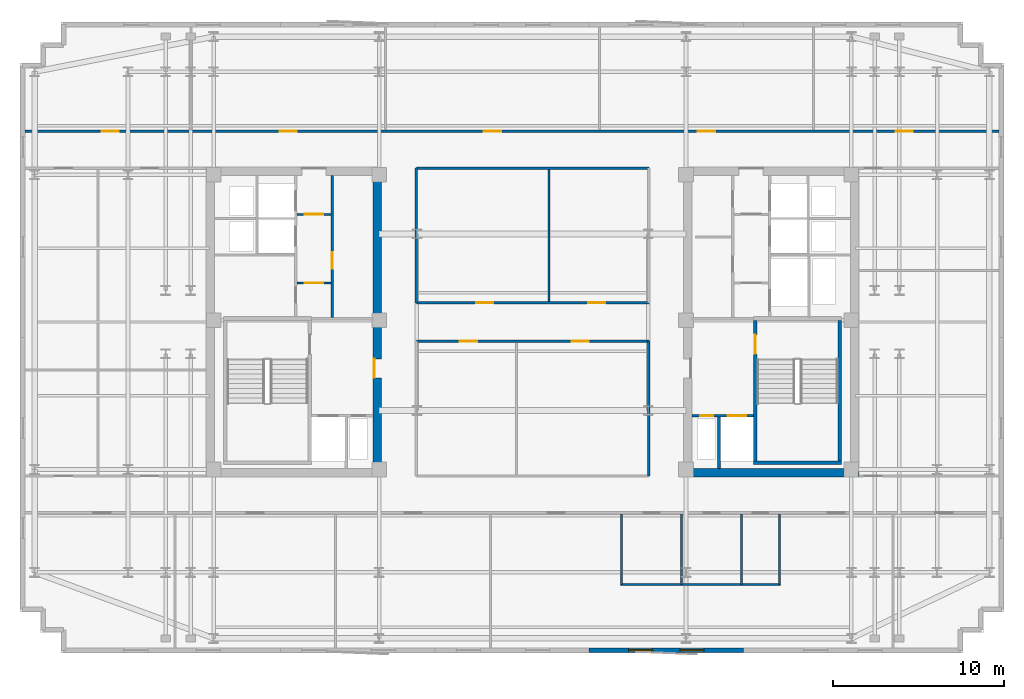
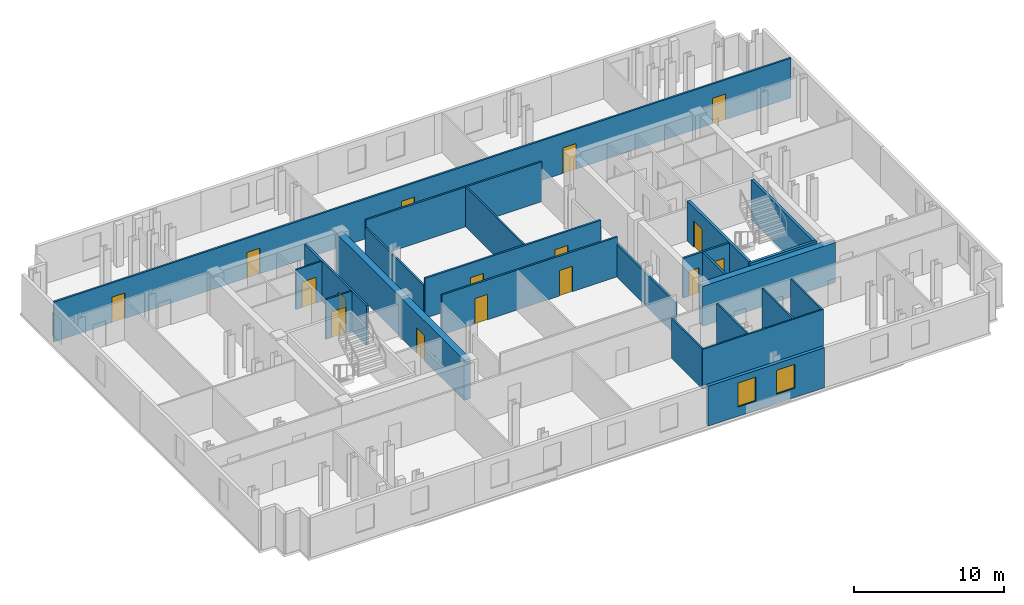
# One storey, part 5 of 9: 23 walls, 16 doors, 2 windows, 18 openings.
"""IFC4 building model written with IfcOpenShell, lengths in metres."""

from ifc_helpers import new_model, si_unit, direction, frame, frame_2d, origin, place, context, subcontext, project, spatial, rectangle, extrude, material, layer, layer_set, type_object, element, fill, save


model = new_model("IFC4")

# Units and contexts
model_context = context("Model", 3, precision=1e-05, world=origin(), true_north=direction((0.0, 1.0)))
body_context = subcontext(model_context, "Body", "Model", "MODEL_VIEW")
ifc_project = project(units=[si_unit("LENGTHUNIT", "METRE"), si_unit("AREAUNIT", "SQUARE_METRE"), si_unit("VOLUMEUNIT", "CUBIC_METRE"), si_unit("PLANEANGLEUNIT", "RADIAN"), si_unit("MASSUNIT", "GRAM", prefix="KILO")], contexts=[model_context])

# Site, building, storey
site_placement = place(None, origin())
site = spatial("IfcSite", under=ifc_project, at=site_placement, CompositionType="ELEMENT")
building_placement = place(site_placement, origin())
building = spatial("IfcBuilding", under=site, at=building_placement, Name="Velakula Bourse", CompositionType="ELEMENT")
storey_placement = place(building_placement, frame((0.0, 0.0, 218.85009765625)))
storey = spatial("IfcBuildingStorey", under=building, at=storey_placement, Name="L59", CompositionType="ELEMENT", Elevation=218.85009765625)

# Wall, opening, door
ifc_material_1 = material(Name="Concrete M50 (fck 50 MPa)", Category="concrete")
ifc_layer_1 = layer(ifc_material_1, 0.2099609375, Name="Concrete M50 (fck 50 MPa)", Category="concrete")
ifc_layer_set_1 = layer_set([ifc_layer_1], Name="Concrete M50 (fck 50 MPa)")
wall_type_1 = type_object("IfcWallType", Name="WL-CORE-210", PredefinedType="SHEAR", material=ifc_layer_set_1)
wall_1_placement = place(storey_placement, frame((12.9951171875, -8.10009765625, 0.0), z_axis=(0.0, 0.0, 1.0), x_axis=(0.0, 1.0, 0.0)))
wall_1 = element("IfcWall", 1, at=wall_1_placement, inside=storey, type_object=wall_type_1, Name="L59 Core E Stairwell Shear Wall IN", PredefinedType="SHEAR", context=body_context, shape_type="SweptSolid", body=[
    extrude(rectangle(XDim=8.2001953125, YDim=0.2099609375, at=frame_2d((4.10009765625, 0.0))), origin(), (0.0, 0.0, 1.0), 3.27001953125),
])
opening_1_placement = place(wall_1_placement, frame((6.25, 0.0, 0.0)))
opening_1 = element("IfcOpeningElement", 2, at=opening_1_placement, cuts=wall_1, Name="Opening D-STE1", PredefinedType="OPENING", context=body_context, shape_type="SweptSolid", body=[
    extrude(rectangle(XDim=1.10009765625, YDim=2.14990234375, at=frame_2d((0.550048828125, 1.074951171875))), frame((0.0, 0.114990234375, 0.0), z_axis=(0.0, -1.0, 0.0), x_axis=(1.0, 0.0, 0.0)), (0.0, 0.0, 1.0), 0.22998046875),
])
ifc_material_2 = material(Name="Galvanised painted hollow steel fire door", Category="steel")
door_type_1 = type_object("IfcDoorType", Name="DR-FD120-1100x2150", OperationType="NOTDEFINED", PredefinedType="DOOR", material=ifc_material_2)
door_1_placement = place(opening_1_placement, origin())
door_1 = element("IfcDoor", 3, at=door_1_placement, inside=storey, type_object=door_type_1, Name="L59 Stair ST-E1 Fire Door", OperationType="SINGLE_SWING_RIGHT", OverallHeight=2.14990234375, OverallWidth=1.10009765625, PredefinedType="DOOR", context=body_context, shape_type="SweptSolid", body=[
    extrude(rectangle(XDim=1.10009765625, YDim=2.14990234375, at=frame_2d((0.550048828125, 1.074951171875))), frame((0.0, 0.02490234375, 0.0), z_axis=(0.0, -1.0, 0.0), x_axis=(1.0, 0.0, 0.0)), (0.0, 0.0, 1.0), 0.050048828125),
])
fill(opening_1, door_1)

# Walls
wall_2_placement = place(storey_placement, frame((17.925048828125, -8.10009765625, 0.0), z_axis=(0.0, 0.0, 1.0), x_axis=(0.0, 1.0, 0.0)))
element("IfcWall", 4, at=wall_2_placement, inside=storey, type_object=wall_type_1, Name="L59 Core E Stairwell Shear Wall OUT", PredefinedType="SHEAR", context=body_context, shape_type="SweptSolid", body=[
    extrude(rectangle(XDim=8.2001953125, YDim=0.2099609375, at=frame_2d((4.10009765625, 0.0))), origin(), (0.0, 0.0, 1.0), 3.27001953125),
])
wall_3_placement = place(storey_placement, frame((12.889892578125, -8.205078125, 0.0), z_axis=(0.0, 0.0, 1.0), x_axis=(1.0, 0.0, 0.0)))
element("IfcWall", 5, at=wall_3_placement, inside=storey, type_object=wall_type_1, Name="L59 Core E Stairwell Shear Wall S", PredefinedType="SHEAR", context=body_context, shape_type="SweptSolid", body=[
    extrude(rectangle(XDim=5.14013671875, YDim=0.2099609375, at=frame_2d((2.570068359375, 0.0))), origin(), (0.0, 0.0, 1.0), 3.27001953125),
])

# Wall, opening, door
ifc_layer_2 = layer(ifc_material_1, 0.5, Name="Concrete M50 (fck 50 MPa)", Category="concrete")
ifc_layer_set_2 = layer_set([ifc_layer_2], Name="Concrete M50 (fck 50 MPa)")
wall_type_2 = type_object("IfcWallType", Name="WL-CORE-500", PredefinedType="SHEAR", material=ifc_layer_set_2)
wall_4_placement = place(storey_placement, frame((-9.050048828125, -8.550048828125, 0.0), z_axis=(0.0, 0.0, 1.0), x_axis=(0.0, 1.0, 0.0)))
wall_4 = element("IfcWall", 6, at=wall_4_placement, inside=storey, type_object=wall_type_2, Name="L59 Core W Shear Wall E", PredefinedType="SHEAR", context=body_context, shape_type="SweptSolid", body=[
    extrude(rectangle(XDim=17.10009765625, YDim=0.5, at=frame_2d((8.550048828125, 0.0))), origin(), (0.0, 0.0, 1.0), 3.27001953125),
])
opening_2_placement = place(wall_4_placement, frame((5.300048828125, 0.0, 0.0)))
opening_2 = element("IfcOpeningElement", 7, at=opening_2_placement, cuts=wall_4, Name="Opening D-FLW", PredefinedType="OPENING", context=body_context, shape_type="SweptSolid", body=[
    extrude(rectangle(XDim=1.10009765625, YDim=2.080078125, at=frame_2d((0.550048828125, 1.0400390625))), frame((0.0, 0.260009765625, 0.0), z_axis=(0.0, -1.0, 0.0), x_axis=(1.0, 0.0, 0.0)), (0.0, 0.0, 1.0), 0.52001953125),
])
door_type_2 = type_object("IfcDoorType", Name="DR-FD120-1100", OperationType="NOTDEFINED", PredefinedType="DOOR", material=ifc_material_2)
door_2_placement = place(opening_2_placement, origin())
door_2 = element("IfcDoor", 8, at=door_2_placement, inside=storey, type_object=door_type_2, Name="L59 Firefighting Lobby W Corridor Fire Door", OperationType="SINGLE_SWING_LEFT", OverallHeight=2.080078125, OverallWidth=1.10009765625, PredefinedType="DOOR", context=body_context, shape_type="SweptSolid", body=[
    extrude(rectangle(XDim=1.10009765625, YDim=2.080078125, at=frame_2d((0.550048828125, 1.0400390625))), frame((0.0, 0.205078125, 0.0), z_axis=(0.0, -1.0, 0.0), x_axis=(1.0, 0.0, 0.0)), (0.0, 0.0, 1.0), 0.050048828125),
])
fill(opening_2, door_2)

# Wall
wall_5_placement = place(storey_placement, frame((8.800048828125, -8.800048828125, 0.0), z_axis=(0.0, 0.0, 1.0), x_axis=(1.0, 0.0, 0.0)))
element("IfcWall", 9, at=wall_5_placement, inside=storey, type_object=wall_type_2, Name="L59 Core E Shear Wall S", PredefinedType="SHEAR", context=body_context, shape_type="SweptSolid", body=[
    extrude(rectangle(XDim=10.25, YDim=0.5, at=frame_2d((5.125, 0.0))), origin(), (0.0, 0.0, 1.0), 3.27001953125),
])

# Wall, openings, windows
ifc_material_3 = material(Name="Buff kilned clay facing brick masonry", Category="masonry")
ifc_layer_3 = layer(ifc_material_3, 0.260009765625, Name="Buff kilned clay facing brick masonry", Category="masonry")
ifc_layer_set_3 = layer_set([ifc_layer_3], Name="Buff kilned clay facing brick masonry")
wall_type_3 = type_object("IfcWallType", Name="WL-EXT-BRK-260", PredefinedType="STANDARD", material=ifc_layer_set_3)
wall_6_placement = place(storey_placement, frame((12.300048828125, -19.14990234375, 0.0), z_axis=(0.0, 0.0, 1.0), x_axis=(-1.0, 0.0, 0.0)))
wall_6 = element("IfcWall", 10, at=wall_6_placement, inside=storey, type_object=wall_type_3, Name="L59 S Brick Spandrel Wall B4", PredefinedType="STANDARD", context=body_context, shape_type="SweptSolid", body=[
    extrude(rectangle(XDim=9.0, YDim=0.260009765625, at=frame_2d((4.5, 0.0))), origin(), (0.0, 0.0, 1.0), 3.25),
])
opening_3_placement = place(wall_6_placement, frame((2.300048828125, 0.0, 0.760009765625)))
opening_3 = element("IfcOpeningElement", 11, at=opening_3_placement, cuts=wall_6, Name="Opening W-03", PredefinedType="OPENING", context=body_context, shape_type="SweptSolid", body=[
    extrude(rectangle(XDim=1.39990234375, YDim=1.949951171875, at=frame_2d((0.699951171875, 0.97509765625))), frame((0.0, 0.139892578125, 0.0), z_axis=(0.0, -1.0, 0.0), x_axis=(1.0, 0.0, 0.0)), (0.0, 0.0, 1.0), 0.280029296875),
])
opening_4_placement = place(wall_6_placement, frame((5.300048828125, 0.0, 0.760009765625)))
opening_4 = element("IfcOpeningElement", 12, at=opening_4_placement, cuts=wall_6, Name="Opening W-03", PredefinedType="OPENING", context=body_context, shape_type="SweptSolid", body=[
    extrude(rectangle(XDim=1.39990234375, YDim=1.949951171875, at=frame_2d((0.699951171875, 0.97509765625))), frame((0.0, 0.139892578125, 0.0), z_axis=(0.0, -1.0, 0.0), x_axis=(1.0, 0.0, 0.0)), (0.0, 0.0, 1.0), 0.280029296875),
])
ifc_material_4 = material(Name="Double-glazed solar-control Low-E glass", Category="glass")
window_type = type_object("IfcWindowType", Name="WIN-TWR-1400x2100", PartitioningType="SINGLE_PANEL", PredefinedType="WINDOW", material=ifc_material_4)
window_1_placement = place(opening_3_placement, origin())
window_1 = element("IfcWindow", 13, at=window_1_placement, inside=storey, type_object=window_type, Name="L59 Deep-Set Recessed Window 1", OverallHeight=1.949951171875, OverallWidth=1.39990234375, PartitioningType="SINGLE_PANEL", PredefinedType="WINDOW", context=body_context, shape_type="SweptSolid", body=[
    extrude(rectangle(XDim=1.39990234375, YDim=1.949951171875, at=frame_2d((0.699951171875, 0.97509765625))), frame((0.0, 0.030029296875, 0.0), z_axis=(0.0, -1.0, 0.0), x_axis=(1.0, 0.0, 0.0)), (0.0, 0.0, 1.0), 0.06005859375),
])
fill(opening_3, window_1)
window_2_placement = place(opening_4_placement, origin())
window_2 = element("IfcWindow", 14, at=window_2_placement, inside=storey, type_object=window_type, Name="L59 Deep-Set Recessed Window 2", OverallHeight=1.949951171875, OverallWidth=1.39990234375, PartitioningType="SINGLE_PANEL", PredefinedType="WINDOW", context=body_context, shape_type="SweptSolid", body=[
    extrude(rectangle(XDim=1.39990234375, YDim=1.949951171875, at=frame_2d((0.699951171875, 0.97509765625))), frame((0.0, 0.030029296875, 0.0), z_axis=(0.0, -1.0, 0.0), x_axis=(1.0, 0.0, 0.0)), (0.0, 0.0, 1.0), 0.06005859375),
])
fill(opening_4, window_2)

# Wall, opening, door
ifc_material_5 = material(Name="Fire-rated double-layer gypsum drywall partition", Category="gypsum")
ifc_layer_4 = layer(ifc_material_5, 0.1201171875, Name="Fire-rated double-layer gypsum drywall partition", Category="gypsum")
ifc_layer_set_4 = layer_set([ifc_layer_4], Name="Fire-rated double-layer gypsum drywall partition")
wall_type_4 = type_object("IfcWallType", Name="WL-PART-120", PredefinedType="STANDARD", material=ifc_layer_set_4)
wall_7_placement = place(storey_placement, frame((-13.75, 2.280029296875, 0.0), z_axis=(0.0, 0.0, 1.0), x_axis=(1.0, 0.0, 0.0)))
wall_7 = element("IfcWall", 15, at=wall_7_placement, inside=storey, type_object=wall_type_4, Name="L59 Interior Partition WL-CRW-L59-LL-K3A", PredefinedType="STANDARD", context=body_context, shape_type="SweptSolid", body=[
    extrude(rectangle(XDim=2.0, YDim=0.1201171875, at=frame_2d((1.0, 0.0))), origin(), (0.0, 0.0, 1.0), 3.25),
])
opening_5_placement = place(wall_7_placement, frame((0.449951171875, 0.0, 0.0)))
opening_5 = element("IfcOpeningElement", 16, at=opening_5_placement, cuts=wall_7, Name="Opening D-LK3", PredefinedType="OPENING", context=body_context, shape_type="SweptSolid", body=[
    extrude(rectangle(XDim=1.10009765625, YDim=2.10009765625, at=frame_2d((0.550048828125, 1.050048828125))), frame((0.0, 0.070068359375, 0.0), z_axis=(0.0, -1.0, 0.0), x_axis=(1.0, 0.0, 0.0)), (0.0, 0.0, 1.0), 0.14013671875),
])
ifc_material_6 = material(Name="Fire-rated hardwood flush architectural door", Category="wood")
door_type_3 = type_object("IfcDoorType", Name="DR-FD60-1100x2100", OperationType="NOTDEFINED", PredefinedType="DOOR", material=ifc_material_6)
door_3_placement = place(opening_5_placement, origin())
door_3 = element("IfcDoor", 17, at=door_3_placement, inside=storey, type_object=door_type_3, Name="L59 Core W Lift Lobby Vestibule Door A", OperationType="SINGLE_SWING_RIGHT", OverallHeight=2.10009765625, OverallWidth=1.10009765625, PredefinedType="DOOR", context=body_context, shape_type="SweptSolid", body=[
    extrude(rectangle(XDim=1.10009765625, YDim=2.10009765625, at=frame_2d((0.550048828125, 1.050048828125))), frame((0.0, 0.02490234375, 0.0), z_axis=(0.0, -1.0, 0.0), x_axis=(1.0, 0.0, 0.0)), (0.0, 0.0, 1.0), 0.050048828125),
])
fill(opening_5, door_3)

wall_8_placement = place(storey_placement, frame((-13.75, 6.280029296875, 0.0), z_axis=(0.0, 0.0, 1.0), x_axis=(1.0, 0.0, 0.0)))
wall_8 = element("IfcWall", 18, at=wall_8_placement, inside=storey, type_object=wall_type_4, Name="L59 Interior Partition WL-CRW-L59-LL-K3B", PredefinedType="STANDARD", context=body_context, shape_type="SweptSolid", body=[
    extrude(rectangle(XDim=2.0, YDim=0.1201171875, at=frame_2d((1.0, 0.0))), origin(), (0.0, 0.0, 1.0), 3.25),
])
opening_6_placement = place(wall_8_placement, frame((0.449951171875, 0.0, 0.0)))
opening_6 = element("IfcOpeningElement", 19, at=opening_6_placement, cuts=wall_8, Name="Opening D-LK3", PredefinedType="OPENING", context=body_context, shape_type="SweptSolid", body=[
    extrude(rectangle(XDim=1.10009765625, YDim=2.10009765625, at=frame_2d((0.550048828125, 1.050048828125))), frame((0.0, 0.070068359375, 0.0), z_axis=(0.0, -1.0, 0.0), x_axis=(1.0, 0.0, 0.0)), (0.0, 0.0, 1.0), 0.14013671875),
])
door_4_placement = place(opening_6_placement, origin())
door_4 = element("IfcDoor", 20, at=door_4_placement, inside=storey, type_object=door_type_3, Name="L59 Core W Lift Lobby Vestibule Door B", OperationType="SINGLE_SWING_RIGHT", OverallHeight=2.10009765625, OverallWidth=1.10009765625, PredefinedType="DOOR", context=body_context, shape_type="SweptSolid", body=[
    extrude(rectangle(XDim=1.10009765625, YDim=2.10009765625, at=frame_2d((0.550048828125, 1.050048828125))), frame((0.0, 0.02490234375, 0.0), z_axis=(0.0, -1.0, 0.0), x_axis=(1.0, 0.0, 0.0)), (0.0, 0.0, 1.0), 0.050048828125),
])
fill(opening_6, door_4)

# Walls
wall_9_placement = place(storey_placement, frame((5.139892578125, -15.320068359375, 0.0), z_axis=(0.0, 0.0, 1.0), x_axis=(1.0, 0.0, 0.0)))
element("IfcWall", 21, at=wall_9_placement, inside=storey, type_object=wall_type_4, Name="L59 Interior Partition WL-WC-L59-BACK", PredefinedType="STANDARD", context=body_context, shape_type="SweptSolid", body=[
    extrude(rectangle(XDim=9.320068359375, YDim=0.1201171875, at=frame_2d((4.66015625, 0.0))), origin(), (0.0, 0.0, 1.0), 3.25),
])
for number, where, z_axis, x_axis, name in (
    (22, (5.199951171875, -15.320068359375, 0.0), (0.0, 0.0, 1.0), (0.0, 1.0, 0.0), "L59 Interior Partition WL-WC-L59-V1"),
    (23, (8.699951171875, -15.320068359375, 0.0), (0.0, 0.0, 1.0), (0.0, 1.0, 0.0), "L59 Interior Partition WL-WC-L59-V2"),
    (24, (12.199951171875, -15.320068359375, 0.0), (0.0, 0.0, 1.0), (0.0, 1.0, 0.0), "L59 Interior Partition WL-WC-L59-V3"),
    (25, (14.39990234375, -15.320068359375, 0.0), (0.0, 0.0, 1.0), (0.0, 1.0, 0.0), "L59 Interior Partition WL-WC-L59-V4"),
):
    element("IfcWall", number, at=place(storey_placement, frame(where, z_axis=z_axis, x_axis=x_axis)), inside=storey, type_object=wall_type_4, Name=name, PredefinedType="STANDARD", context=body_context, shape_type="SweptSolid", body=[
        extrude(rectangle(XDim=4.130126953125, YDim=0.1201171875, at=frame_2d((2.06494140625, 0.0))), origin(), (0.0, 0.0, 1.0), 3.25),
    ])

# Wall, openings, doors
ifc_layer_5 = layer(ifc_material_5, 0.139892578125, Name="Fire-rated double-layer gypsum drywall partition", Category="gypsum")
ifc_layer_set_5 = layer_set([ifc_layer_5], Name="Fire-rated double-layer gypsum drywall partition")
wall_type_5 = type_object("IfcWallType", Name="WL-PART-140", PredefinedType="STANDARD", material=ifc_layer_set_5)
wall_10_placement = place(storey_placement, frame((-29.6201171875, 11.1201171875, 0.0), z_axis=(0.0, 0.0, 1.0), x_axis=(1.0, 0.0, 0.0)))
wall_10 = element("IfcWall", 26, at=wall_10_placement, inside=storey, type_object=wall_type_5, Name="L59 Interior Partition WL-INT-L59-N-CORR", PredefinedType="STANDARD", context=body_context, shape_type="SweptSolid", body=[
    extrude(rectangle(XDim=56.840087890625, YDim=0.139892578125, at=frame_2d((28.419921875, 0.0))), origin(), (0.0, 0.0, 1.0), 3.25),
])
opening_7_placement = place(wall_10_placement, frame((4.47705078125, 0.0, 0.0)))
opening_7 = element("IfcOpeningElement", 27, at=opening_7_placement, cuts=wall_10, Name="Opening D-OF1", PredefinedType="OPENING", context=body_context, shape_type="SweptSolid", body=[
    extrude(rectangle(XDim=1.0, YDim=2.080078125, at=frame_2d((0.5, 1.0400390625))), frame((0.0, 0.079833984375, 0.0), z_axis=(0.0, -1.0, 0.0), x_axis=(1.0, 0.0, 0.0)), (0.0, 0.0, 1.0), 0.159912109375),
])
opening_8_placement = place(wall_10_placement, frame((14.8740234375, 0.0, 0.0)))
opening_8 = element("IfcOpeningElement", 28, at=opening_8_placement, cuts=wall_10, Name="Opening D-OF1", PredefinedType="OPENING", context=body_context, shape_type="SweptSolid", body=[
    extrude(rectangle(XDim=1.0, YDim=2.080078125, at=frame_2d((0.5, 1.0400390625))), frame((0.0, 0.079833984375, 0.0), z_axis=(0.0, -1.0, 0.0), x_axis=(1.0, 0.0, 0.0)), (0.0, 0.0, 1.0), 0.159912109375),
])
opening_9_placement = place(wall_10_placement, frame((26.785400390625, 0.0, 0.0)))
opening_9 = element("IfcOpeningElement", 29, at=opening_9_placement, cuts=wall_10, Name="Opening D-OF1", PredefinedType="OPENING", context=body_context, shape_type="SweptSolid", body=[
    extrude(rectangle(XDim=1.0, YDim=2.080078125, at=frame_2d((0.5, 1.0400390625))), frame((0.0, 0.079833984375, 0.0), z_axis=(0.0, -1.0, 0.0), x_axis=(1.0, 0.0, 0.0)), (0.0, 0.0, 1.0), 0.159912109375),
])
opening_10_placement = place(wall_10_placement, frame((39.263916015625, 0.0, 0.0)))
opening_10 = element("IfcOpeningElement", 30, at=opening_10_placement, cuts=wall_10, Name="Opening D-OF1", PredefinedType="OPENING", context=body_context, shape_type="SweptSolid", body=[
    extrude(rectangle(XDim=1.0, YDim=2.080078125, at=frame_2d((0.5, 1.0400390625))), frame((0.0, 0.079833984375, 0.0), z_axis=(0.0, -1.0, 0.0), x_axis=(1.0, 0.0, 0.0)), (0.0, 0.0, 1.0), 0.159912109375),
])
opening_11_placement = place(wall_10_placement, frame((50.79541015625, 0.0, 0.0)))
opening_11 = element("IfcOpeningElement", 31, at=opening_11_placement, cuts=wall_10, Name="Opening D-OF1", PredefinedType="OPENING", context=body_context, shape_type="SweptSolid", body=[
    extrude(rectangle(XDim=1.0, YDim=2.080078125, at=frame_2d((0.5, 1.0400390625))), frame((0.0, 0.079833984375, 0.0), z_axis=(0.0, -1.0, 0.0), x_axis=(1.0, 0.0, 0.0)), (0.0, 0.0, 1.0), 0.159912109375),
])
door_type_4 = type_object("IfcDoorType", Name="DR-OFF-1000", OperationType="NOTDEFINED", PredefinedType="DOOR", material=ifc_material_6)
door_5_placement = place(opening_7_placement, origin())
door_5 = element("IfcDoor", 32, at=door_5_placement, inside=storey, type_object=door_type_4, Name="L59 Equity Options Trading Workspace Door", OperationType="SINGLE_SWING_LEFT", OverallHeight=2.080078125, OverallWidth=1.0, PredefinedType="DOOR", context=body_context, shape_type="SweptSolid", body=[
    extrude(rectangle(XDim=1.0, YDim=2.080078125, at=frame_2d((0.5, 1.0400390625))), frame((0.0, 0.02490234375, 0.0), z_axis=(0.0, -1.0, 0.0), x_axis=(1.0, 0.0, 0.0)), (0.0, 0.0, 1.0), 0.050048828125),
])
fill(opening_7, door_5)
door_6_placement = place(opening_8_placement, origin())
door_6 = element("IfcDoor", 33, at=door_6_placement, inside=storey, type_object=door_type_4, Name="L59 Disciplinary Hearing Room Door", OperationType="SINGLE_SWING_RIGHT", OverallHeight=2.080078125, OverallWidth=1.0, PredefinedType="DOOR", context=body_context, shape_type="SweptSolid", body=[
    extrude(rectangle(XDim=1.0, YDim=2.080078125, at=frame_2d((0.5, 1.0400390625))), frame((0.0, 0.02490234375, 0.0), z_axis=(0.0, -1.0, 0.0), x_axis=(1.0, 0.0, 0.0)), (0.0, 0.0, 1.0), 0.050048828125),
])
fill(opening_8, door_6)
door_7_placement = place(opening_9_placement, origin())
door_7 = element("IfcDoor", 34, at=door_7_placement, inside=storey, type_object=door_type_4, Name="L59 Traders Pantry Door", OperationType="SINGLE_SWING_LEFT", OverallHeight=2.080078125, OverallWidth=1.0, PredefinedType="DOOR", context=body_context, shape_type="SweptSolid", body=[
    extrude(rectangle(XDim=1.0, YDim=2.080078125, at=frame_2d((0.5, 1.0400390625))), frame((0.0, 0.02490234375, 0.0), z_axis=(0.0, -1.0, 0.0), x_axis=(1.0, 0.0, 0.0)), (0.0, 0.0, 1.0), 0.050048828125),
])
fill(opening_9, door_7)
door_8_placement = place(opening_10_placement, origin())
door_8 = element("IfcDoor", 35, at=door_8_placement, inside=storey, type_object=door_type_4, Name="L59 Quiet Financial Library Door", OperationType="SINGLE_SWING_RIGHT", OverallHeight=2.080078125, OverallWidth=1.0, PredefinedType="DOOR", context=body_context, shape_type="SweptSolid", body=[
    extrude(rectangle(XDim=1.0, YDim=2.080078125, at=frame_2d((0.5, 1.0400390625))), frame((0.0, 0.02490234375, 0.0), z_axis=(0.0, -1.0, 0.0), x_axis=(1.0, 0.0, 0.0)), (0.0, 0.0, 1.0), 0.050048828125),
])
fill(opening_10, door_8)
door_9_placement = place(opening_11_placement, origin())
door_9 = element("IfcDoor", 36, at=door_9_placement, inside=storey, type_object=door_type_4, Name="L59 Margin Control Office Door", OperationType="SINGLE_SWING_LEFT", OverallHeight=2.080078125, OverallWidth=1.0, PredefinedType="DOOR", context=body_context, shape_type="SweptSolid", body=[
    extrude(rectangle(XDim=1.0, YDim=2.080078125, at=frame_2d((0.5, 1.0400390625))), frame((0.0, 0.02490234375, 0.0), z_axis=(0.0, -1.0, 0.0), x_axis=(1.0, 0.0, 0.0)), (0.0, 0.0, 1.0), 0.050048828125),
])
fill(opening_11, door_9)

wall_11_placement = place(storey_placement, frame((-6.780029296875, 1.1201171875, 0.0), z_axis=(0.0, 0.0, 1.0), x_axis=(1.0, 0.0, 0.0)))
wall_11 = element("IfcWall", 37, at=wall_11_placement, inside=storey, type_object=wall_type_5, Name="L59 Interior Partition WL-INT-L59-MN-IN", PredefinedType="STANDARD", context=body_context, shape_type="SweptSolid", body=[
    extrude(rectangle(XDim=13.56005859375, YDim=0.139892578125, at=frame_2d((6.780029296875, 0.0))), origin(), (0.0, 0.0, 1.0), 3.25),
])
opening_12_placement = place(wall_11_placement, frame((3.490966796875, 0.0, 0.0)))
opening_12 = element("IfcOpeningElement", 38, at=opening_12_placement, cuts=wall_11, Name="Opening D-OF1", PredefinedType="OPENING", context=body_context, shape_type="SweptSolid", body=[
    extrude(rectangle(XDim=1.0, YDim=2.080078125, at=frame_2d((0.5, 1.0400390625))), frame((0.0, 0.079833984375, 0.0), z_axis=(0.0, -1.0, 0.0), x_axis=(1.0, 0.0, 0.0)), (0.0, 0.0, 1.0), 0.159912109375),
])
opening_13_placement = place(wall_11_placement, frame((10.01904296875, 0.0, 0.0)))
opening_13 = element("IfcOpeningElement", 39, at=opening_13_placement, cuts=wall_11, Name="Opening D-OF1", PredefinedType="OPENING", context=body_context, shape_type="SweptSolid", body=[
    extrude(rectangle(XDim=1.0, YDim=2.080078125, at=frame_2d((0.5, 1.0400390625))), frame((0.0, 0.079833984375, 0.0), z_axis=(0.0, -1.0, 0.0), x_axis=(1.0, 0.0, 0.0)), (0.0, 0.0, 1.0), 0.159912109375),
])
door_10_placement = place(opening_12_placement, origin())
door_10 = element("IfcDoor", 40, at=door_10_placement, inside=storey, type_object=door_type_4, Name="L59 Compliance Review Office Door", OperationType="SINGLE_SWING_LEFT", OverallHeight=2.080078125, OverallWidth=1.0, PredefinedType="DOOR", context=body_context, shape_type="SweptSolid", body=[
    extrude(rectangle(XDim=1.0, YDim=2.080078125, at=frame_2d((0.5, 1.0400390625))), frame((0.0, 0.02490234375, 0.0), z_axis=(0.0, -1.0, 0.0), x_axis=(1.0, 0.0, 0.0)), (0.0, 0.0, 1.0), 0.050048828125),
])
fill(opening_12, door_10)
door_11_placement = place(opening_13_placement, origin())
door_11 = element("IfcDoor", 41, at=door_11_placement, inside=storey, type_object=door_type_4, Name="L59 Margin Control Office Door", OperationType="SINGLE_SWING_RIGHT", OverallHeight=2.080078125, OverallWidth=1.0, PredefinedType="DOOR", context=body_context, shape_type="SweptSolid", body=[
    extrude(rectangle(XDim=1.0, YDim=2.080078125, at=frame_2d((0.5, 1.0400390625))), frame((0.0, 0.02490234375, 0.0), z_axis=(0.0, -1.0, 0.0), x_axis=(1.0, 0.0, 0.0)), (0.0, 0.0, 1.0), 0.050048828125),
])
fill(opening_13, door_11)

# Walls
wall_12_placement = place(storey_placement, frame((-6.780029296875, 8.97998046875, 0.0), z_axis=(0.0, 0.0, 1.0), x_axis=(1.0, 0.0, 0.0)))
element("IfcWall", 42, at=wall_12_placement, inside=storey, type_object=wall_type_5, Name="L59 Interior Partition WL-INT-L59-MN-OUT", PredefinedType="STANDARD", context=body_context, shape_type="SweptSolid", body=[
    extrude(rectangle(XDim=13.56005859375, YDim=0.139892578125, at=frame_2d((6.780029296875, 0.0))), origin(), (0.0, 0.0, 1.0), 3.25),
])
wall_13_placement = place(storey_placement, frame((-6.780029296875, 1.1201171875, 0.0), z_axis=(0.0, 0.0, 1.0), x_axis=(0.0, 1.0, 0.0)))
element("IfcWall", 43, at=wall_13_placement, inside=storey, type_object=wall_type_5, Name="L59 Interior Partition WL-INT-L59-MN-W", PredefinedType="STANDARD", context=body_context, shape_type="SweptSolid", body=[
    extrude(rectangle(XDim=7.85986328125, YDim=0.139892578125, at=frame_2d((3.929931640625, 0.0))), origin(), (0.0, 0.0, 1.0), 2.64501953125),
])
wall_14_placement = place(storey_placement, frame((0.949951171875, 1.18994140625, 0.0), z_axis=(0.0, 0.0, 1.0), x_axis=(0.0, 1.0, 0.0)))
element("IfcWall", 44, at=wall_14_placement, inside=storey, type_object=wall_type_5, Name="L59 Interior Partition WL-INT-L59-MN-V1", PredefinedType="STANDARD", context=body_context, shape_type="SweptSolid", body=[
    extrude(rectangle(XDim=7.719970703125, YDim=0.1201171875, at=frame_2d((3.85986328125, 0.0))), origin(), (0.0, 0.0, 1.0), 3.25),
])

# Wall, openings, doors
wall_15_placement = place(storey_placement, frame((-6.780029296875, -1.1201171875, 0.0), z_axis=(0.0, 0.0, 1.0), x_axis=(1.0, 0.0, 0.0)))
wall_15 = element("IfcWall", 45, at=wall_15_placement, inside=storey, type_object=wall_type_5, Name="L59 Interior Partition WL-INT-L59-MS-IN", PredefinedType="STANDARD", context=body_context, shape_type="SweptSolid", body=[
    extrude(rectangle(XDim=13.56005859375, YDim=0.139892578125, at=frame_2d((6.780029296875, 0.0))), origin(), (0.0, 0.0, 1.0), 3.25),
])
opening_14_placement = place(wall_15_placement, frame((2.541015625, 0.0, 0.0)))
opening_14 = element("IfcOpeningElement", 46, at=opening_14_placement, cuts=wall_15, Name="Opening D-OF1", PredefinedType="OPENING", context=body_context, shape_type="SweptSolid", body=[
    extrude(rectangle(XDim=1.0, YDim=2.080078125, at=frame_2d((0.5, 1.0400390625))), frame((0.0, 0.079833984375, 0.0), z_axis=(0.0, -1.0, 0.0), x_axis=(1.0, 0.0, 0.0)), (0.0, 0.0, 1.0), 0.159912109375),
])
opening_15_placement = place(wall_15_placement, frame((9.069091796875, 0.0, 0.0)))
opening_15 = element("IfcOpeningElement", 47, at=opening_15_placement, cuts=wall_15, Name="Opening D-OF1", PredefinedType="OPENING", context=body_context, shape_type="SweptSolid", body=[
    extrude(rectangle(XDim=1.0, YDim=2.080078125, at=frame_2d((0.5, 1.0400390625))), frame((0.0, 0.079833984375, 0.0), z_axis=(0.0, -1.0, 0.0), x_axis=(1.0, 0.0, 0.0)), (0.0, 0.0, 1.0), 0.159912109375),
])
door_12_placement = place(opening_14_placement, origin())
door_12 = element("IfcDoor", 48, at=door_12_placement, inside=storey, type_object=door_type_4, Name="L59 Bullion Assay Office Door", OperationType="SINGLE_SWING_LEFT", OverallHeight=2.080078125, OverallWidth=1.0, PredefinedType="DOOR", context=body_context, shape_type="SweptSolid", body=[
    extrude(rectangle(XDim=1.0, YDim=2.080078125, at=frame_2d((0.5, 1.0400390625))), frame((0.0, 0.02490234375, 0.0), z_axis=(0.0, -1.0, 0.0), x_axis=(1.0, 0.0, 0.0)), (0.0, 0.0, 1.0), 0.050048828125),
])
fill(opening_14, door_12)
door_13_placement = place(opening_15_placement, origin())
door_13 = element("IfcDoor", 49, at=door_13_placement, inside=storey, type_object=door_type_4, Name="L59 Legal Counsel Office Door", OperationType="SINGLE_SWING_RIGHT", OverallHeight=2.080078125, OverallWidth=1.0, PredefinedType="DOOR", context=body_context, shape_type="SweptSolid", body=[
    extrude(rectangle(XDim=1.0, YDim=2.080078125, at=frame_2d((0.5, 1.0400390625))), frame((0.0, 0.02490234375, 0.0), z_axis=(0.0, -1.0, 0.0), x_axis=(1.0, 0.0, 0.0)), (0.0, 0.0, 1.0), 0.050048828125),
])
fill(opening_15, door_13)

# Wall
wall_16_placement = place(storey_placement, frame((6.780029296875, -8.97998046875, 0.0), z_axis=(0.0, 0.0, 1.0), x_axis=(0.0, 1.0, 0.0)))
element("IfcWall", 50, at=wall_16_placement, inside=storey, type_object=wall_type_5, Name="L59 Interior Partition WL-INT-L59-MS-E", PredefinedType="STANDARD", context=body_context, shape_type="SweptSolid", body=[
    extrude(rectangle(XDim=7.85986328125, YDim=0.139892578125, at=frame_2d((3.929931640625, 0.0))), origin(), (0.0, 0.0, 1.0), 2.64501953125),
])

# Wall, opening, door
ifc_material_7 = material(Name="Autoclaved aerated concrete blockwork masonry", Category="masonry")
ifc_layer_6 = layer(ifc_material_7, 0.14990234375, Name="Autoclaved aerated concrete blockwork masonry", Category="masonry")
ifc_layer_set_6 = layer_set([ifc_layer_6], Name="Autoclaved aerated concrete blockwork masonry")
wall_type_6 = type_object("IfcWallType", Name="WL-SHAFT-150", PredefinedType="STANDARD", material=ifc_layer_set_6)
wall_17_placement = place(storey_placement, frame((-11.675048828125, 0.27001953125, 0.0), z_axis=(0.0, 0.0, 1.0), x_axis=(0.0, 1.0, 0.0)))
wall_17 = element("IfcWall", 51, at=wall_17_placement, inside=storey, type_object=wall_type_6, Name="L59 Interior Partition WL-CRW-L59-BANK-F", PredefinedType="STANDARD", context=body_context, shape_type="SweptSolid", body=[
    extrude(rectangle(XDim=8.280029296875, YDim=0.14990234375, at=frame_2d((4.14013671875, 0.0))), origin(), (0.0, 0.0, 1.0), 3.25),
])
opening_16_placement = place(wall_17_placement, frame((2.85009765625, 0.0, 0.0)))
opening_16 = element("IfcOpeningElement", 52, at=opening_16_placement, cuts=wall_17, Name="Opening D-RC4", PredefinedType="OPENING", context=body_context, shape_type="SweptSolid", body=[
    extrude(rectangle(XDim=0.949951171875, YDim=2.050048828125, at=frame_2d((0.47509765625, 1.02490234375))), frame((0.0, 0.0849609375, 0.0), z_axis=(0.0, -1.0, 0.0), x_axis=(1.0, 0.0, 0.0)), (0.0, 0.0, 1.0), 0.169921875),
])
door_type_5 = type_object("IfcDoorType", Name="DR-FD60-950x2050", OperationType="NOTDEFINED", PredefinedType="DOOR", material=ifc_material_6)
door_14_placement = place(opening_16_placement, origin())
door_14 = element("IfcDoor", 53, at=door_14_placement, inside=storey, type_object=door_type_5, Name="L59 Reclaimed Multi-Bay Archive Room Door", OperationType="SINGLE_SWING_RIGHT", OverallHeight=2.050048828125, OverallWidth=0.949951171875, PredefinedType="DOOR", context=body_context, shape_type="SweptSolid", body=[
    extrude(rectangle(XDim=0.949951171875, YDim=2.050048828125, at=frame_2d((0.47509765625, 1.02490234375))), frame((0.0, 0.02490234375, 0.0), z_axis=(0.0, -1.0, 0.0), x_axis=(1.0, 0.0, 0.0)), (0.0, 0.0, 1.0), 0.050048828125),
])
fill(opening_16, door_14)

# Wall, openings, doors
wall_18_placement = place(storey_placement, frame((9.300048828125, -5.47509765625, 0.0), z_axis=(0.0, 0.0, 1.0), x_axis=(1.0, 0.0, 0.0)))
wall_18 = element("IfcWall", 54, at=wall_18_placement, inside=storey, type_object=wall_type_6, Name="L59 Interior Partition WL-CRE-L59-FFL-N", PredefinedType="STANDARD", context=body_context, shape_type="SweptSolid", body=[
    extrude(rectangle(XDim=3.594970703125, YDim=0.14990234375, at=frame_2d((1.79736328125, 0.0))), origin(), (0.0, 0.0, 1.0), 3.25),
])
opening_17_placement = place(wall_18_placement, frame((2.074951171875, 0.0, 0.0)))
opening_17 = element("IfcOpeningElement", 55, at=opening_17_placement, cuts=wall_18, Name="Opening LD-FFL-2", PredefinedType="OPENING", context=body_context, shape_type="SweptSolid", body=[
    extrude(rectangle(XDim=1.10009765625, YDim=2.14990234375, at=frame_2d((0.550048828125, 1.074951171875))), frame((0.0, 0.0849609375, 0.0), z_axis=(0.0, -1.0, 0.0), x_axis=(1.0, 0.0, 0.0)), (0.0, 0.0, 1.0), 0.169921875),
])
opening_18_placement = place(wall_18_placement, frame((0.47509765625, 0.0, 0.0)))
opening_18 = element("IfcOpeningElement", 56, at=opening_18_placement, cuts=wall_18, Name="Opening D-RS1", PredefinedType="OPENING", context=body_context, shape_type="SweptSolid", body=[
    extrude(rectangle(XDim=0.75, YDim=2.050048828125, at=frame_2d((0.375, 1.02490234375))), frame((0.0, 0.0849609375, 0.0), z_axis=(0.0, -1.0, 0.0), x_axis=(1.0, 0.0, 0.0)), (0.0, 0.0, 1.0), 0.169921875),
])
door_type_6 = type_object("IfcDoorType", Name="DR-RISER-800", OperationType="NOTDEFINED", PredefinedType="DOOR", material=ifc_material_2)
door_15_placement = place(opening_18_placement, origin())
door_15 = element("IfcDoor", 57, at=door_15_placement, inside=storey, type_object=door_type_6, Name="L59 Fire Riser Access Door", OperationType="SINGLE_SWING_LEFT", OverallHeight=2.050048828125, OverallWidth=0.75, PredefinedType="DOOR", context=body_context, shape_type="SweptSolid", body=[
    extrude(rectangle(XDim=0.75, YDim=2.050048828125, at=frame_2d((0.375, 1.02490234375))), frame((0.0, 0.02490234375, 0.0), z_axis=(0.0, -1.0, 0.0), x_axis=(1.0, 0.0, 0.0)), (0.0, 0.0, 1.0), 0.050048828125),
])
fill(opening_18, door_15)
ifc_material_8 = material(Name="Brushed grade 316 stainless steel", Category="steel")
door_type_7 = type_object("IfcDoorType", Name="DR-SLIDE-FFL-1100", OperationType="DOUBLE_DOOR_SLIDING", PredefinedType="DOOR", material=ifc_material_8)
door_16_placement = place(opening_17_placement, origin())
door_16 = element("IfcDoor", 58, at=door_16_placement, inside=storey, type_object=door_type_7, Name="L59 Firefighting Lift FFL-2 Sliding Landing Door", OperationType="DOUBLE_DOOR_SLIDING", OverallHeight=2.14990234375, OverallWidth=1.10009765625, PredefinedType="DOOR", context=body_context, shape_type="SweptSolid", body=[
    extrude(rectangle(XDim=1.10009765625, YDim=2.14990234375, at=frame_2d((0.550048828125, 1.074951171875))), frame((0.0, 0.02490234375, 0.0), z_axis=(0.0, -1.0, 0.0), x_axis=(1.0, 0.0, 0.0)), (0.0, 0.0, 1.0), 0.050048828125),
])
fill(opening_17, door_16)

# Wall
wall_19_placement = place(storey_placement, frame((10.875, -8.550048828125, 0.0), z_axis=(0.0, 0.0, 1.0), x_axis=(0.0, 1.0, 0.0)))
element("IfcWall", 59, at=wall_19_placement, inside=storey, type_object=wall_type_6, Name="L59 Interior Partition WL-CRE-L59-FR-DIV", PredefinedType="STANDARD", context=body_context, shape_type="SweptSolid", body=[
    extrude(rectangle(XDim=3.0, YDim=0.14990234375, at=frame_2d((1.5, 0.0))), origin(), (0.0, 0.0, 1.0), 3.25),
])

save(model, "model.ifc")
